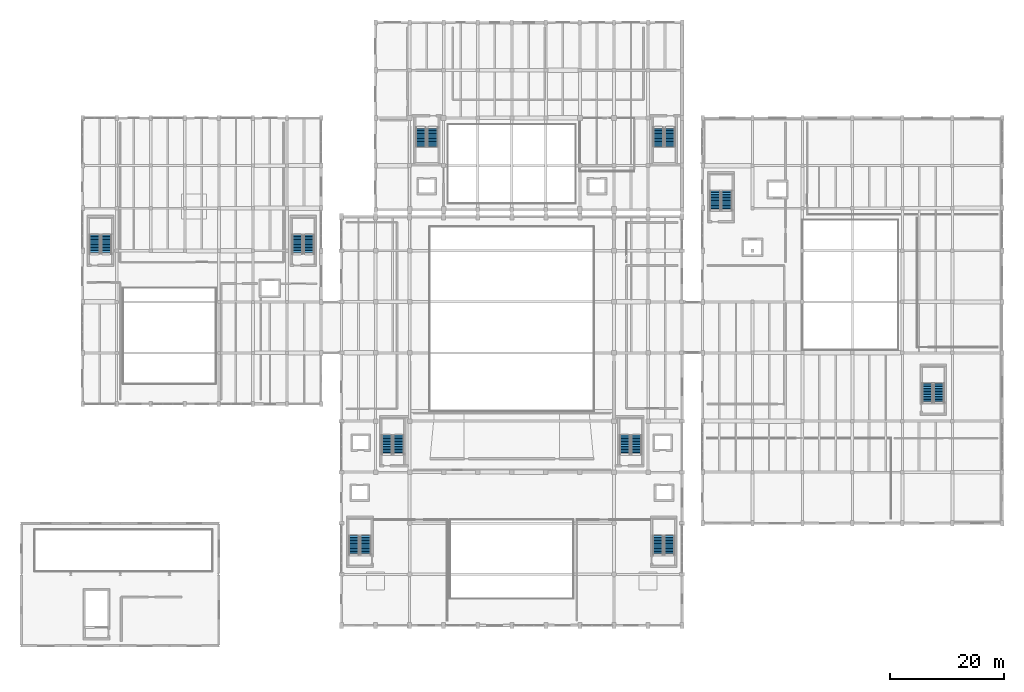
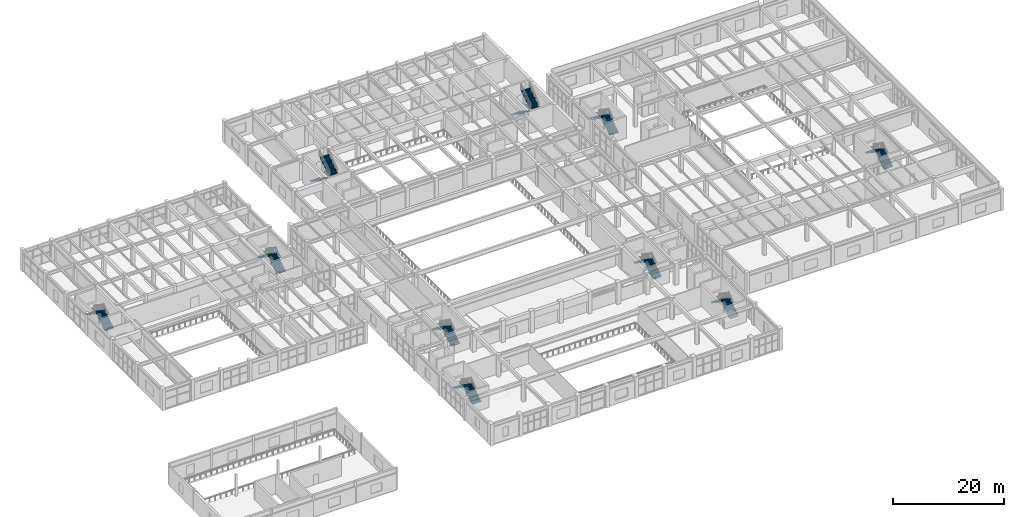
# One storey, part 77 of 96: 20 stair flights, 10 elements without a shape of their own.
"""IFC4 building model written with IfcOpenShell, lengths in metres."""

from ifc_helpers import new_model, si_unit, direction, frame, origin, place, context, subcontext, project, spatial, polyline, outline, extrude, material, type_object, element, aggregate, save


model = new_model("IFC4")

# Units and contexts
model_context = context("Model", 3, precision=1e-05, world=origin(), true_north=direction((0.0, 1.0)))
body_context = subcontext(model_context, "Body", "Model", "MODEL_VIEW")
ifc_project = project(units=[si_unit("LENGTHUNIT", "METRE"), si_unit("AREAUNIT", "SQUARE_METRE"), si_unit("VOLUMEUNIT", "CUBIC_METRE"), si_unit("PLANEANGLEUNIT", "RADIAN"), si_unit("MASSUNIT", "GRAM", prefix="KILO")], contexts=[model_context])

# Site, building, storey
site_placement = place(None, origin())
site = spatial("IfcSite", under=ifc_project, at=site_placement, CompositionType="ELEMENT")
building_placement = place(site_placement, origin())
building = spatial("IfcBuilding", under=site, at=building_placement, Name="Vaelkrest Opera House", CompositionType="ELEMENT")
storey_placement = place(building_placement, frame((0.0, 0.0, 5.39990234375)))
storey = spatial("IfcBuildingStorey", under=building, at=storey_placement, Name="L01", CompositionType="ELEMENT", Elevation=5.39990234375)

# Stair, stair flights
ifc_material = material(Name="Concrete C40/50", Category="concrete")
stair_type_1 = type_object("IfcStairType", Name="ST01", PredefinedType="TWO_STRAIGHT_RUN_STAIR", material=ifc_material)
stair_1_placement = place(storey_placement, origin())
stair_1 = element("IfcStair", 1, at=stair_1_placement, inside=storey, type_object=stair_type_1, Name="L01 Protected exit stair ST01", PredefinedType="TWO_STRAIGHT_RUN_STAIR")
stair_flight_type = type_object("IfcStairFlightType", Name="SFL176", PredefinedType="STRAIGHT", material=ifc_material)
stair_flight_1_placement = place(storey_placement, frame((-19.925048828125, -25.64990234375, 0.0), z_axis=(0.0, 0.0, 1.0), x_axis=(0.0, 1.0, 0.0)))
stair_flight_1 = element("IfcStairFlight", 2, at=stair_flight_1_placement, type_object=stair_flight_type, Name="ST01 flight 1", NumberOfRisers=13, NumberOfTreads=12, PredefinedType="STRAIGHT", RiserHeight=0.184615385, TreadLength=0.28, context=body_context, shape_type="SweptSolid", body=[
    extrude(outline(polyline([(0.0, 0.0), (0.0, 0.1845703125), (0.280029296875, 0.1845703125), (0.280029296875, 0.369140625), (0.56005859375, 0.369140625), (0.56005859375, 0.553955078125), (0.840087890625, 0.553955078125), (0.840087890625, 0.738525390625), (1.1201171875, 0.738525390625), (1.1201171875, 0.923095703125), (1.39990234375, 0.923095703125), (1.39990234375, 1.107666015625), (1.679931640625, 1.107666015625), (1.679931640625, 1.292236328125), (1.9599609375, 1.292236328125), (1.9599609375, 1.476806640625), (2.239990234375, 1.476806640625), (2.239990234375, 1.66162109375), (2.52001953125, 1.66162109375), (2.52001953125, 1.84619140625), (2.800048828125, 1.84619140625), (2.800048828125, 2.03076171875), (3.080078125, 2.03076171875), (3.080078125, 2.21533203125), (3.360107421875, 2.21533203125), (3.360107421875, 2.39990234375), (3.360107421875, 2.02392578125), (0.29052734375, 0.0), (0.0, 0.0)])), frame((0.0, 0.925048828125, 0.0), z_axis=(0.0, -1.0, 0.0), x_axis=(1.0, 0.0, 0.0)), (0.0, 0.0, 1.0), 1.85009765625),
])
stair_flight_2_placement = place(storey_placement, frame((-21.97509765625, -22.2900390625, 2.400146484375), z_axis=(0.0, 0.0, 1.0), x_axis=(0.0, -1.0, 0.0)))
stair_flight_2 = element("IfcStairFlight", 3, at=stair_flight_2_placement, type_object=stair_flight_type, Name="ST01 flight 2", NumberOfRisers=13, NumberOfTreads=12, PredefinedType="STRAIGHT", RiserHeight=0.184615385, TreadLength=0.28, context=body_context, shape_type="SweptSolid", body=[
    extrude(outline(polyline([(0.0, 0.0), (0.0, 0.1845703125), (0.280029296875, 0.1845703125), (0.280029296875, 0.369140625), (0.56005859375, 0.369140625), (0.56005859375, 0.553955078125), (0.840087890625, 0.553955078125), (0.840087890625, 0.738525390625), (1.1201171875, 0.738525390625), (1.1201171875, 0.923095703125), (1.39990234375, 0.923095703125), (1.39990234375, 1.107666015625), (1.679931640625, 1.107666015625), (1.679931640625, 1.292236328125), (1.9599609375, 1.292236328125), (1.9599609375, 1.476806640625), (2.239990234375, 1.476806640625), (2.239990234375, 1.66162109375), (2.52001953125, 1.66162109375), (2.52001953125, 1.84619140625), (2.800048828125, 1.84619140625), (2.800048828125, 2.03076171875), (3.080078125, 2.03076171875), (3.080078125, 2.21533203125), (3.360107421875, 2.21533203125), (3.360107421875, 2.39990234375), (3.360107421875, 2.02392578125), (0.29052734375, 0.0), (0.0, 0.0)])), frame((0.0, 0.925048828125, 0.0), z_axis=(0.0, -1.0, 0.0), x_axis=(1.0, 0.0, 0.0)), (0.0, 0.0, 1.0), 1.85009765625),
])
aggregate(stair_1, [stair_flight_1, stair_flight_2])

stair_type_2 = type_object("IfcStairType", Name="ST02", PredefinedType="TWO_STRAIGHT_RUN_STAIR", material=ifc_material)
stair_2_placement = place(storey_placement, origin())
stair_2 = element("IfcStair", 4, at=stair_2_placement, inside=storey, type_object=stair_type_2, Name="L01 Protected exit stair ST02", PredefinedType="TWO_STRAIGHT_RUN_STAIR")
stair_flight_3_placement = place(storey_placement, frame((21.97509765625, -25.64990234375, 0.0), z_axis=(0.0, 0.0, 1.0), x_axis=(0.0, 1.0, 0.0)))
stair_flight_3 = element("IfcStairFlight", 5, at=stair_flight_3_placement, type_object=stair_flight_type, Name="ST02 flight 1", NumberOfRisers=13, NumberOfTreads=12, PredefinedType="STRAIGHT", RiserHeight=0.184615385, TreadLength=0.28, context=body_context, shape_type="SweptSolid", body=[
    extrude(outline(polyline([(0.0, 0.0), (0.0, 0.1845703125), (0.280029296875, 0.1845703125), (0.280029296875, 0.369140625), (0.56005859375, 0.369140625), (0.56005859375, 0.553955078125), (0.840087890625, 0.553955078125), (0.840087890625, 0.738525390625), (1.1201171875, 0.738525390625), (1.1201171875, 0.923095703125), (1.39990234375, 0.923095703125), (1.39990234375, 1.107666015625), (1.679931640625, 1.107666015625), (1.679931640625, 1.292236328125), (1.9599609375, 1.292236328125), (1.9599609375, 1.476806640625), (2.239990234375, 1.476806640625), (2.239990234375, 1.66162109375), (2.52001953125, 1.66162109375), (2.52001953125, 1.84619140625), (2.800048828125, 1.84619140625), (2.800048828125, 2.03076171875), (3.080078125, 2.03076171875), (3.080078125, 2.21533203125), (3.360107421875, 2.21533203125), (3.360107421875, 2.39990234375), (3.360107421875, 2.02392578125), (0.29052734375, 0.0), (0.0, 0.0)])), frame((0.0, 0.925048828125, 0.0), z_axis=(0.0, -1.0, 0.0), x_axis=(1.0, 0.0, 0.0)), (0.0, 0.0, 1.0), 1.85009765625),
])
stair_flight_4_placement = place(storey_placement, frame((19.925048828125, -22.2900390625, 2.400146484375), z_axis=(0.0, 0.0, 1.0), x_axis=(0.0, -1.0, 0.0)))
stair_flight_4 = element("IfcStairFlight", 6, at=stair_flight_4_placement, type_object=stair_flight_type, Name="ST02 flight 2", NumberOfRisers=13, NumberOfTreads=12, PredefinedType="STRAIGHT", RiserHeight=0.184615385, TreadLength=0.28, context=body_context, shape_type="SweptSolid", body=[
    extrude(outline(polyline([(0.0, 0.0), (0.0, 0.1845703125), (0.280029296875, 0.1845703125), (0.280029296875, 0.369140625), (0.56005859375, 0.369140625), (0.56005859375, 0.553955078125), (0.840087890625, 0.553955078125), (0.840087890625, 0.738525390625), (1.1201171875, 0.738525390625), (1.1201171875, 0.923095703125), (1.39990234375, 0.923095703125), (1.39990234375, 1.107666015625), (1.679931640625, 1.107666015625), (1.679931640625, 1.292236328125), (1.9599609375, 1.292236328125), (1.9599609375, 1.476806640625), (2.239990234375, 1.476806640625), (2.239990234375, 1.66162109375), (2.52001953125, 1.66162109375), (2.52001953125, 1.84619140625), (2.800048828125, 1.84619140625), (2.800048828125, 2.03076171875), (3.080078125, 2.03076171875), (3.080078125, 2.21533203125), (3.360107421875, 2.21533203125), (3.360107421875, 2.39990234375), (3.360107421875, 2.02392578125), (0.29052734375, 0.0), (0.0, 0.0)])), frame((0.0, 0.925048828125, 0.0), z_axis=(0.0, -1.0, 0.0), x_axis=(1.0, 0.0, 0.0)), (0.0, 0.0, 1.0), 1.85009765625),
])
aggregate(stair_2, [stair_flight_3, stair_flight_4])

stair_type_3 = type_object("IfcStairType", Name="ST03", PredefinedType="TWO_STRAIGHT_RUN_STAIR", material=ifc_material)
stair_3_placement = place(storey_placement, origin())
stair_3 = element("IfcStair", 7, at=stair_3_placement, inside=storey, type_object=stair_type_3, Name="L01 Protected exit stair ST03", PredefinedType="TWO_STRAIGHT_RUN_STAIR")
stair_flight_5_placement = place(storey_placement, frame((-25.72509765625, -43.35009765625, 0.0), z_axis=(0.0, 0.0, 1.0), x_axis=(0.0, 1.0, 0.0)))
stair_flight_5 = element("IfcStairFlight", 8, at=stair_flight_5_placement, type_object=stair_flight_type, Name="ST03 flight 1", NumberOfRisers=13, NumberOfTreads=12, PredefinedType="STRAIGHT", RiserHeight=0.184615385, TreadLength=0.28, context=body_context, shape_type="SweptSolid", body=[
    extrude(outline(polyline([(0.0, 0.0), (0.0, 0.1845703125), (0.280029296875, 0.1845703125), (0.280029296875, 0.369140625), (0.56005859375, 0.369140625), (0.56005859375, 0.553955078125), (0.840087890625, 0.553955078125), (0.840087890625, 0.738525390625), (1.1201171875, 0.738525390625), (1.1201171875, 0.923095703125), (1.39990234375, 0.923095703125), (1.39990234375, 1.107666015625), (1.679931640625, 1.107666015625), (1.679931640625, 1.292236328125), (1.9599609375, 1.292236328125), (1.9599609375, 1.476806640625), (2.239990234375, 1.476806640625), (2.239990234375, 1.66162109375), (2.52001953125, 1.66162109375), (2.52001953125, 1.84619140625), (2.800048828125, 1.84619140625), (2.800048828125, 2.03076171875), (3.080078125, 2.03076171875), (3.080078125, 2.21533203125), (3.360107421875, 2.21533203125), (3.360107421875, 2.39990234375), (3.360107421875, 2.02392578125), (0.29052734375, 0.0), (0.0, 0.0)])), frame((0.0, 0.925048828125, 0.0), z_axis=(0.0, -1.0, 0.0), x_axis=(1.0, 0.0, 0.0)), (0.0, 0.0, 1.0), 1.85009765625),
])
stair_flight_6_placement = place(storey_placement, frame((-27.77490234375, -39.989990234375, 2.400146484375), z_axis=(0.0, 0.0, 1.0), x_axis=(0.0, -1.0, 0.0)))
stair_flight_6 = element("IfcStairFlight", 9, at=stair_flight_6_placement, type_object=stair_flight_type, Name="ST03 flight 2", NumberOfRisers=13, NumberOfTreads=12, PredefinedType="STRAIGHT", RiserHeight=0.184615385, TreadLength=0.28, context=body_context, shape_type="SweptSolid", body=[
    extrude(outline(polyline([(0.0, 0.0), (0.0, 0.1845703125), (0.280029296875, 0.1845703125), (0.280029296875, 0.369140625), (0.56005859375, 0.369140625), (0.56005859375, 0.553955078125), (0.840087890625, 0.553955078125), (0.840087890625, 0.738525390625), (1.1201171875, 0.738525390625), (1.1201171875, 0.923095703125), (1.39990234375, 0.923095703125), (1.39990234375, 1.107666015625), (1.679931640625, 1.107666015625), (1.679931640625, 1.292236328125), (1.9599609375, 1.292236328125), (1.9599609375, 1.476806640625), (2.239990234375, 1.476806640625), (2.239990234375, 1.66162109375), (2.52001953125, 1.66162109375), (2.52001953125, 1.84619140625), (2.800048828125, 1.84619140625), (2.800048828125, 2.03076171875), (3.080078125, 2.03076171875), (3.080078125, 2.21533203125), (3.360107421875, 2.21533203125), (3.360107421875, 2.39990234375), (3.360107421875, 2.02392578125), (0.29052734375, 0.0), (0.0, 0.0)])), frame((0.0, 0.925048828125, 0.0), z_axis=(0.0, -1.0, 0.0), x_axis=(1.0, 0.0, 0.0)), (0.0, 0.0, 1.0), 1.85009765625),
])
aggregate(stair_3, [stair_flight_5, stair_flight_6])

stair_type_4 = type_object("IfcStairType", Name="ST04", PredefinedType="TWO_STRAIGHT_RUN_STAIR", material=ifc_material)
stair_4_placement = place(storey_placement, origin())
stair_4 = element("IfcStair", 10, at=stair_4_placement, inside=storey, type_object=stair_type_4, Name="L01 Protected exit stair ST04", PredefinedType="TWO_STRAIGHT_RUN_STAIR")
stair_flight_7_placement = place(storey_placement, frame((27.77490234375, -43.35009765625, 0.0), z_axis=(0.0, 0.0, 1.0), x_axis=(0.0, 1.0, 0.0)))
stair_flight_7 = element("IfcStairFlight", 11, at=stair_flight_7_placement, type_object=stair_flight_type, Name="ST04 flight 1", NumberOfRisers=13, NumberOfTreads=12, PredefinedType="STRAIGHT", RiserHeight=0.184615385, TreadLength=0.28, context=body_context, shape_type="SweptSolid", body=[
    extrude(outline(polyline([(0.0, 0.0), (0.0, 0.1845703125), (0.280029296875, 0.1845703125), (0.280029296875, 0.369140625), (0.56005859375, 0.369140625), (0.56005859375, 0.553955078125), (0.840087890625, 0.553955078125), (0.840087890625, 0.738525390625), (1.1201171875, 0.738525390625), (1.1201171875, 0.923095703125), (1.39990234375, 0.923095703125), (1.39990234375, 1.107666015625), (1.679931640625, 1.107666015625), (1.679931640625, 1.292236328125), (1.9599609375, 1.292236328125), (1.9599609375, 1.476806640625), (2.239990234375, 1.476806640625), (2.239990234375, 1.66162109375), (2.52001953125, 1.66162109375), (2.52001953125, 1.84619140625), (2.800048828125, 1.84619140625), (2.800048828125, 2.03076171875), (3.080078125, 2.03076171875), (3.080078125, 2.21533203125), (3.360107421875, 2.21533203125), (3.360107421875, 2.39990234375), (3.360107421875, 2.02392578125), (0.29052734375, 0.0), (0.0, 0.0)])), frame((0.0, 0.925048828125, 0.0), z_axis=(0.0, -1.0, 0.0), x_axis=(1.0, 0.0, 0.0)), (0.0, 0.0, 1.0), 1.85009765625),
])
stair_flight_8_placement = place(storey_placement, frame((25.72509765625, -39.989990234375, 2.400146484375), z_axis=(0.0, 0.0, 1.0), x_axis=(0.0, -1.0, 0.0)))
stair_flight_8 = element("IfcStairFlight", 12, at=stair_flight_8_placement, type_object=stair_flight_type, Name="ST04 flight 2", NumberOfRisers=13, NumberOfTreads=12, PredefinedType="STRAIGHT", RiserHeight=0.184615385, TreadLength=0.28, context=body_context, shape_type="SweptSolid", body=[
    extrude(outline(polyline([(0.0, 0.0), (0.0, 0.1845703125), (0.280029296875, 0.1845703125), (0.280029296875, 0.369140625), (0.56005859375, 0.369140625), (0.56005859375, 0.553955078125), (0.840087890625, 0.553955078125), (0.840087890625, 0.738525390625), (1.1201171875, 0.738525390625), (1.1201171875, 0.923095703125), (1.39990234375, 0.923095703125), (1.39990234375, 1.107666015625), (1.679931640625, 1.107666015625), (1.679931640625, 1.292236328125), (1.9599609375, 1.292236328125), (1.9599609375, 1.476806640625), (2.239990234375, 1.476806640625), (2.239990234375, 1.66162109375), (2.52001953125, 1.66162109375), (2.52001953125, 1.84619140625), (2.800048828125, 1.84619140625), (2.800048828125, 2.03076171875), (3.080078125, 2.03076171875), (3.080078125, 2.21533203125), (3.360107421875, 2.21533203125), (3.360107421875, 2.39990234375), (3.360107421875, 2.02392578125), (0.29052734375, 0.0), (0.0, 0.0)])), frame((0.0, 0.925048828125, 0.0), z_axis=(0.0, -1.0, 0.0), x_axis=(1.0, 0.0, 0.0)), (0.0, 0.0, 1.0), 1.85009765625),
])
aggregate(stair_4, [stair_flight_7, stair_flight_8])

stair_type_5 = type_object("IfcStairType", Name="ST05", PredefinedType="TWO_STRAIGHT_RUN_STAIR", material=ifc_material)
stair_5_placement = place(storey_placement, origin())
stair_5 = element("IfcStair", 13, at=stair_5_placement, inside=storey, type_object=stair_type_5, Name="L01 Protected exit stair ST05", PredefinedType="TWO_STRAIGHT_RUN_STAIR")
stair_flight_9_placement = place(storey_placement, frame((-15.97509765625, 31.949951171875, 0.0), z_axis=(0.0, 0.0, 1.0), x_axis=(0.0, -1.0, 0.0)))
stair_flight_9 = element("IfcStairFlight", 14, at=stair_flight_9_placement, type_object=stair_flight_type, Name="ST05 flight 1", NumberOfRisers=13, NumberOfTreads=12, PredefinedType="STRAIGHT", RiserHeight=0.184615385, TreadLength=0.28, context=body_context, shape_type="SweptSolid", body=[
    extrude(outline(polyline([(0.0, 0.0), (0.0, 0.1845703125), (0.280029296875, 0.1845703125), (0.280029296875, 0.369140625), (0.56005859375, 0.369140625), (0.56005859375, 0.553955078125), (0.840087890625, 0.553955078125), (0.840087890625, 0.738525390625), (1.1201171875, 0.738525390625), (1.1201171875, 0.923095703125), (1.39990234375, 0.923095703125), (1.39990234375, 1.107666015625), (1.679931640625, 1.107666015625), (1.679931640625, 1.292236328125), (1.9599609375, 1.292236328125), (1.9599609375, 1.476806640625), (2.239990234375, 1.476806640625), (2.239990234375, 1.66162109375), (2.52001953125, 1.66162109375), (2.52001953125, 1.84619140625), (2.800048828125, 1.84619140625), (2.800048828125, 2.03076171875), (3.080078125, 2.03076171875), (3.080078125, 2.21533203125), (3.360107421875, 2.21533203125), (3.360107421875, 2.39990234375), (3.360107421875, 2.02392578125), (0.29052734375, 0.0), (0.0, 0.0)])), frame((0.0, 0.925048828125, 0.0), z_axis=(0.0, -1.0, 0.0), x_axis=(1.0, 0.0, 0.0)), (0.0, 0.0, 1.0), 1.85009765625),
])
stair_flight_10_placement = place(storey_placement, frame((-13.925048828125, 28.590087890625, 2.400146484375), z_axis=(0.0, 0.0, 1.0), x_axis=(0.0, 1.0, 0.0)))
stair_flight_10 = element("IfcStairFlight", 15, at=stair_flight_10_placement, type_object=stair_flight_type, Name="ST05 flight 2", NumberOfRisers=13, NumberOfTreads=12, PredefinedType="STRAIGHT", RiserHeight=0.184615385, TreadLength=0.28, context=body_context, shape_type="SweptSolid", body=[
    extrude(outline(polyline([(0.0, 0.0), (0.0, 0.1845703125), (0.280029296875, 0.1845703125), (0.280029296875, 0.369140625), (0.56005859375, 0.369140625), (0.56005859375, 0.553955078125), (0.840087890625, 0.553955078125), (0.840087890625, 0.738525390625), (1.1201171875, 0.738525390625), (1.1201171875, 0.923095703125), (1.39990234375, 0.923095703125), (1.39990234375, 1.107666015625), (1.679931640625, 1.107666015625), (1.679931640625, 1.292236328125), (1.9599609375, 1.292236328125), (1.9599609375, 1.476806640625), (2.239990234375, 1.476806640625), (2.239990234375, 1.66162109375), (2.52001953125, 1.66162109375), (2.52001953125, 1.84619140625), (2.800048828125, 1.84619140625), (2.800048828125, 2.03076171875), (3.080078125, 2.03076171875), (3.080078125, 2.21533203125), (3.360107421875, 2.21533203125), (3.360107421875, 2.39990234375), (3.360107421875, 2.02392578125), (0.29052734375, 0.0), (0.0, 0.0)])), frame((0.0, 0.925048828125, 0.0), z_axis=(0.0, -1.0, 0.0), x_axis=(1.0, 0.0, 0.0)), (0.0, 0.0, 1.0), 1.85009765625),
])
aggregate(stair_5, [stair_flight_9, stair_flight_10])

stair_type_6 = type_object("IfcStairType", Name="ST06", PredefinedType="TWO_STRAIGHT_RUN_STAIR", material=ifc_material)
stair_6_placement = place(storey_placement, origin())
stair_6 = element("IfcStair", 16, at=stair_6_placement, inside=storey, type_object=stair_type_6, Name="L01 Protected exit stair ST06", PredefinedType="TWO_STRAIGHT_RUN_STAIR")
stair_flight_11_placement = place(storey_placement, frame((25.824951171875, 31.949951171875, 0.0), z_axis=(0.0, 0.0, 1.0), x_axis=(0.0, -1.0, 0.0)))
stair_flight_11 = element("IfcStairFlight", 17, at=stair_flight_11_placement, type_object=stair_flight_type, Name="ST06 flight 1", NumberOfRisers=13, NumberOfTreads=12, PredefinedType="STRAIGHT", RiserHeight=0.184615385, TreadLength=0.28, context=body_context, shape_type="SweptSolid", body=[
    extrude(outline(polyline([(0.0, 0.0), (0.0, 0.1845703125), (0.280029296875, 0.1845703125), (0.280029296875, 0.369140625), (0.56005859375, 0.369140625), (0.56005859375, 0.553955078125), (0.840087890625, 0.553955078125), (0.840087890625, 0.738525390625), (1.1201171875, 0.738525390625), (1.1201171875, 0.923095703125), (1.39990234375, 0.923095703125), (1.39990234375, 1.107666015625), (1.679931640625, 1.107666015625), (1.679931640625, 1.292236328125), (1.9599609375, 1.292236328125), (1.9599609375, 1.476806640625), (2.239990234375, 1.476806640625), (2.239990234375, 1.66162109375), (2.52001953125, 1.66162109375), (2.52001953125, 1.84619140625), (2.800048828125, 1.84619140625), (2.800048828125, 2.03076171875), (3.080078125, 2.03076171875), (3.080078125, 2.21533203125), (3.360107421875, 2.21533203125), (3.360107421875, 2.39990234375), (3.360107421875, 2.02392578125), (0.29052734375, 0.0), (0.0, 0.0)])), frame((0.0, 0.925048828125, 0.0), z_axis=(0.0, -1.0, 0.0), x_axis=(1.0, 0.0, 0.0)), (0.0, 0.0, 1.0), 1.85009765625),
])
stair_flight_12_placement = place(storey_placement, frame((27.875, 28.590087890625, 2.400146484375), z_axis=(0.0, 0.0, 1.0), x_axis=(0.0, 1.0, 0.0)))
stair_flight_12 = element("IfcStairFlight", 18, at=stair_flight_12_placement, type_object=stair_flight_type, Name="ST06 flight 2", NumberOfRisers=13, NumberOfTreads=12, PredefinedType="STRAIGHT", RiserHeight=0.184615385, TreadLength=0.28, context=body_context, shape_type="SweptSolid", body=[
    extrude(outline(polyline([(0.0, 0.0), (0.0, 0.1845703125), (0.280029296875, 0.1845703125), (0.280029296875, 0.369140625), (0.56005859375, 0.369140625), (0.56005859375, 0.553955078125), (0.840087890625, 0.553955078125), (0.840087890625, 0.738525390625), (1.1201171875, 0.738525390625), (1.1201171875, 0.923095703125), (1.39990234375, 0.923095703125), (1.39990234375, 1.107666015625), (1.679931640625, 1.107666015625), (1.679931640625, 1.292236328125), (1.9599609375, 1.292236328125), (1.9599609375, 1.476806640625), (2.239990234375, 1.476806640625), (2.239990234375, 1.66162109375), (2.52001953125, 1.66162109375), (2.52001953125, 1.84619140625), (2.800048828125, 1.84619140625), (2.800048828125, 2.03076171875), (3.080078125, 2.03076171875), (3.080078125, 2.21533203125), (3.360107421875, 2.21533203125), (3.360107421875, 2.39990234375), (3.360107421875, 2.02392578125), (0.29052734375, 0.0), (0.0, 0.0)])), frame((0.0, 0.925048828125, 0.0), z_axis=(0.0, -1.0, 0.0), x_axis=(1.0, 0.0, 0.0)), (0.0, 0.0, 1.0), 1.85009765625),
])
aggregate(stair_6, [stair_flight_11, stair_flight_12])

stair_type_7 = type_object("IfcStairType", Name="ST07", PredefinedType="TWO_STRAIGHT_RUN_STAIR", material=ifc_material)
stair_7_placement = place(storey_placement, origin())
stair_7 = element("IfcStair", 19, at=stair_7_placement, inside=storey, type_object=stair_type_7, Name="L01 Protected exit stair ST07", PredefinedType="TWO_STRAIGHT_RUN_STAIR")
stair_flight_13_placement = place(storey_placement, frame((-71.425048828125, 9.64990234375, 0.0), z_axis=(0.0, 0.0, 1.0), x_axis=(0.0, 1.0, 0.0)))
stair_flight_13 = element("IfcStairFlight", 20, at=stair_flight_13_placement, type_object=stair_flight_type, Name="ST07 flight 1", NumberOfRisers=13, NumberOfTreads=12, PredefinedType="STRAIGHT", RiserHeight=0.184615385, TreadLength=0.28, context=body_context, shape_type="SweptSolid", body=[
    extrude(outline(polyline([(0.0, 0.0), (0.0, 0.1845703125), (0.280029296875, 0.1845703125), (0.280029296875, 0.369140625), (0.56005859375, 0.369140625), (0.56005859375, 0.553955078125), (0.840087890625, 0.553955078125), (0.840087890625, 0.738525390625), (1.1201171875, 0.738525390625), (1.1201171875, 0.923095703125), (1.39990234375, 0.923095703125), (1.39990234375, 1.107666015625), (1.679931640625, 1.107666015625), (1.679931640625, 1.292236328125), (1.9599609375, 1.292236328125), (1.9599609375, 1.476806640625), (2.239990234375, 1.476806640625), (2.239990234375, 1.66162109375), (2.52001953125, 1.66162109375), (2.52001953125, 1.84619140625), (2.800048828125, 1.84619140625), (2.800048828125, 2.03076171875), (3.080078125, 2.03076171875), (3.080078125, 2.21533203125), (3.360107421875, 2.21533203125), (3.360107421875, 2.39990234375), (3.360107421875, 2.02392578125), (0.29052734375, 0.0), (0.0, 0.0)])), frame((0.0, 0.925048828125, 0.0), z_axis=(0.0, -1.0, 0.0), x_axis=(1.0, 0.0, 0.0)), (0.0, 0.0, 1.0), 1.85009765625),
])
stair_flight_14_placement = place(storey_placement, frame((-73.47509765625, 13.010009765625, 2.400146484375), z_axis=(0.0, 0.0, 1.0), x_axis=(0.0, -1.0, 0.0)))
stair_flight_14 = element("IfcStairFlight", 21, at=stair_flight_14_placement, type_object=stair_flight_type, Name="ST07 flight 2", NumberOfRisers=13, NumberOfTreads=12, PredefinedType="STRAIGHT", RiserHeight=0.184615385, TreadLength=0.28, context=body_context, shape_type="SweptSolid", body=[
    extrude(outline(polyline([(0.0, 0.0), (0.0, 0.1845703125), (0.280029296875, 0.1845703125), (0.280029296875, 0.369140625), (0.56005859375, 0.369140625), (0.56005859375, 0.553955078125), (0.840087890625, 0.553955078125), (0.840087890625, 0.738525390625), (1.1201171875, 0.738525390625), (1.1201171875, 0.923095703125), (1.39990234375, 0.923095703125), (1.39990234375, 1.107666015625), (1.679931640625, 1.107666015625), (1.679931640625, 1.292236328125), (1.9599609375, 1.292236328125), (1.9599609375, 1.476806640625), (2.239990234375, 1.476806640625), (2.239990234375, 1.66162109375), (2.52001953125, 1.66162109375), (2.52001953125, 1.84619140625), (2.800048828125, 1.84619140625), (2.800048828125, 2.03076171875), (3.080078125, 2.03076171875), (3.080078125, 2.21533203125), (3.360107421875, 2.21533203125), (3.360107421875, 2.39990234375), (3.360107421875, 2.02392578125), (0.29052734375, 0.0), (0.0, 0.0)])), frame((0.0, 0.925048828125, 0.0), z_axis=(0.0, -1.0, 0.0), x_axis=(1.0, 0.0, 0.0)), (0.0, 0.0, 1.0), 1.85009765625),
])
aggregate(stair_7, [stair_flight_13, stair_flight_14])

stair_type_8 = type_object("IfcStairType", Name="ST08", PredefinedType="TWO_STRAIGHT_RUN_STAIR", material=ifc_material)
stair_8_placement = place(storey_placement, origin())
stair_8 = element("IfcStair", 22, at=stair_8_placement, inside=storey, type_object=stair_type_8, Name="L01 Protected exit stair ST08", PredefinedType="TWO_STRAIGHT_RUN_STAIR")
stair_flight_15_placement = place(storey_placement, frame((-35.72509765625, 9.64990234375, 0.0), z_axis=(0.0, 0.0, 1.0), x_axis=(0.0, 1.0, 0.0)))
stair_flight_15 = element("IfcStairFlight", 23, at=stair_flight_15_placement, type_object=stair_flight_type, Name="ST08 flight 1", NumberOfRisers=13, NumberOfTreads=12, PredefinedType="STRAIGHT", RiserHeight=0.184615385, TreadLength=0.28, context=body_context, shape_type="SweptSolid", body=[
    extrude(outline(polyline([(0.0, 0.0), (0.0, 0.1845703125), (0.280029296875, 0.1845703125), (0.280029296875, 0.369140625), (0.56005859375, 0.369140625), (0.56005859375, 0.553955078125), (0.840087890625, 0.553955078125), (0.840087890625, 0.738525390625), (1.1201171875, 0.738525390625), (1.1201171875, 0.923095703125), (1.39990234375, 0.923095703125), (1.39990234375, 1.107666015625), (1.679931640625, 1.107666015625), (1.679931640625, 1.292236328125), (1.9599609375, 1.292236328125), (1.9599609375, 1.476806640625), (2.239990234375, 1.476806640625), (2.239990234375, 1.66162109375), (2.52001953125, 1.66162109375), (2.52001953125, 1.84619140625), (2.800048828125, 1.84619140625), (2.800048828125, 2.03076171875), (3.080078125, 2.03076171875), (3.080078125, 2.21533203125), (3.360107421875, 2.21533203125), (3.360107421875, 2.39990234375), (3.360107421875, 2.02392578125), (0.29052734375, 0.0), (0.0, 0.0)])), frame((0.0, 0.925048828125, 0.0), z_axis=(0.0, -1.0, 0.0), x_axis=(1.0, 0.0, 0.0)), (0.0, 0.0, 1.0), 1.85009765625),
])
stair_flight_16_placement = place(storey_placement, frame((-37.77490234375, 13.010009765625, 2.400146484375), z_axis=(0.0, 0.0, 1.0), x_axis=(0.0, -1.0, 0.0)))
stair_flight_16 = element("IfcStairFlight", 24, at=stair_flight_16_placement, type_object=stair_flight_type, Name="ST08 flight 2", NumberOfRisers=13, NumberOfTreads=12, PredefinedType="STRAIGHT", RiserHeight=0.184615385, TreadLength=0.28, context=body_context, shape_type="SweptSolid", body=[
    extrude(outline(polyline([(0.0, 0.0), (0.0, 0.1845703125), (0.280029296875, 0.1845703125), (0.280029296875, 0.369140625), (0.56005859375, 0.369140625), (0.56005859375, 0.553955078125), (0.840087890625, 0.553955078125), (0.840087890625, 0.738525390625), (1.1201171875, 0.738525390625), (1.1201171875, 0.923095703125), (1.39990234375, 0.923095703125), (1.39990234375, 1.107666015625), (1.679931640625, 1.107666015625), (1.679931640625, 1.292236328125), (1.9599609375, 1.292236328125), (1.9599609375, 1.476806640625), (2.239990234375, 1.476806640625), (2.239990234375, 1.66162109375), (2.52001953125, 1.66162109375), (2.52001953125, 1.84619140625), (2.800048828125, 1.84619140625), (2.800048828125, 2.03076171875), (3.080078125, 2.03076171875), (3.080078125, 2.21533203125), (3.360107421875, 2.21533203125), (3.360107421875, 2.39990234375), (3.360107421875, 2.02392578125), (0.29052734375, 0.0), (0.0, 0.0)])), frame((0.0, 0.925048828125, 0.0), z_axis=(0.0, -1.0, 0.0), x_axis=(1.0, 0.0, 0.0)), (0.0, 0.0, 1.0), 1.85009765625),
])
aggregate(stair_8, [stair_flight_15, stair_flight_16])

stair_type_9 = type_object("IfcStairType", Name="ST09", PredefinedType="TWO_STRAIGHT_RUN_STAIR", material=ifc_material)
stair_9_placement = place(storey_placement, origin())
stair_9 = element("IfcStair", 25, at=stair_9_placement, inside=storey, type_object=stair_type_9, Name="L01 Protected exit stair ST09", PredefinedType="TWO_STRAIGHT_RUN_STAIR")
stair_flight_17_placement = place(storey_placement, frame((37.875, 17.35009765625, 0.0), z_axis=(0.0, 0.0, 1.0), x_axis=(0.0, 1.0, 0.0)))
stair_flight_17 = element("IfcStairFlight", 26, at=stair_flight_17_placement, type_object=stair_flight_type, Name="ST09 flight 1", NumberOfRisers=13, NumberOfTreads=12, PredefinedType="STRAIGHT", RiserHeight=0.184615385, TreadLength=0.28, context=body_context, shape_type="SweptSolid", body=[
    extrude(outline(polyline([(0.0, 0.0), (0.0, 0.1845703125), (0.280029296875, 0.1845703125), (0.280029296875, 0.369140625), (0.56005859375, 0.369140625), (0.56005859375, 0.553955078125), (0.840087890625, 0.553955078125), (0.840087890625, 0.738525390625), (1.1201171875, 0.738525390625), (1.1201171875, 0.923095703125), (1.39990234375, 0.923095703125), (1.39990234375, 1.107666015625), (1.679931640625, 1.107666015625), (1.679931640625, 1.292236328125), (1.9599609375, 1.292236328125), (1.9599609375, 1.476806640625), (2.239990234375, 1.476806640625), (2.239990234375, 1.66162109375), (2.52001953125, 1.66162109375), (2.52001953125, 1.84619140625), (2.800048828125, 1.84619140625), (2.800048828125, 2.03076171875), (3.080078125, 2.03076171875), (3.080078125, 2.21533203125), (3.360107421875, 2.21533203125), (3.360107421875, 2.39990234375), (3.360107421875, 2.02392578125), (0.29052734375, 0.0), (0.0, 0.0)])), frame((0.0, 0.925048828125, 0.0), z_axis=(0.0, -1.0, 0.0), x_axis=(1.0, 0.0, 0.0)), (0.0, 0.0, 1.0), 1.85009765625),
])
stair_flight_18_placement = place(storey_placement, frame((35.824951171875, 20.7099609375, 2.400146484375), z_axis=(0.0, 0.0, 1.0), x_axis=(0.0, -1.0, 0.0)))
stair_flight_18 = element("IfcStairFlight", 27, at=stair_flight_18_placement, type_object=stair_flight_type, Name="ST09 flight 2", NumberOfRisers=13, NumberOfTreads=12, PredefinedType="STRAIGHT", RiserHeight=0.184615385, TreadLength=0.28, context=body_context, shape_type="SweptSolid", body=[
    extrude(outline(polyline([(0.0, 0.0), (0.0, 0.1845703125), (0.280029296875, 0.1845703125), (0.280029296875, 0.369140625), (0.56005859375, 0.369140625), (0.56005859375, 0.553955078125), (0.840087890625, 0.553955078125), (0.840087890625, 0.738525390625), (1.1201171875, 0.738525390625), (1.1201171875, 0.923095703125), (1.39990234375, 0.923095703125), (1.39990234375, 1.107666015625), (1.679931640625, 1.107666015625), (1.679931640625, 1.292236328125), (1.9599609375, 1.292236328125), (1.9599609375, 1.476806640625), (2.239990234375, 1.476806640625), (2.239990234375, 1.66162109375), (2.52001953125, 1.66162109375), (2.52001953125, 1.84619140625), (2.800048828125, 1.84619140625), (2.800048828125, 2.03076171875), (3.080078125, 2.03076171875), (3.080078125, 2.21533203125), (3.360107421875, 2.21533203125), (3.360107421875, 2.39990234375), (3.360107421875, 2.02392578125), (0.29052734375, 0.0), (0.0, 0.0)])), frame((0.0, 0.925048828125, 0.0), z_axis=(0.0, -1.0, 0.0), x_axis=(1.0, 0.0, 0.0)), (0.0, 0.0, 1.0), 1.85009765625),
])
aggregate(stair_9, [stair_flight_17, stair_flight_18])

stair_type_10 = type_object("IfcStairType", Name="ST10", PredefinedType="TWO_STRAIGHT_RUN_STAIR", material=ifc_material)
stair_10_placement = place(storey_placement, origin())
stair_10 = element("IfcStair", 28, at=stair_10_placement, inside=storey, type_object=stair_type_10, Name="L01 Protected exit stair ST10", PredefinedType="TWO_STRAIGHT_RUN_STAIR")
stair_flight_19_placement = place(storey_placement, frame((75.27490234375, -16.550048828125, 0.0), z_axis=(0.0, 0.0, 1.0), x_axis=(0.0, 1.0, 0.0)))
stair_flight_19 = element("IfcStairFlight", 29, at=stair_flight_19_placement, type_object=stair_flight_type, Name="ST10 flight 1", NumberOfRisers=13, NumberOfTreads=12, PredefinedType="STRAIGHT", RiserHeight=0.184615385, TreadLength=0.28, context=body_context, shape_type="SweptSolid", body=[
    extrude(outline(polyline([(0.0, 0.0), (0.0, 0.1845703125), (0.280029296875, 0.1845703125), (0.280029296875, 0.369140625), (0.56005859375, 0.369140625), (0.56005859375, 0.553955078125), (0.840087890625, 0.553955078125), (0.840087890625, 0.738525390625), (1.1201171875, 0.738525390625), (1.1201171875, 0.923095703125), (1.39990234375, 0.923095703125), (1.39990234375, 1.107666015625), (1.679931640625, 1.107666015625), (1.679931640625, 1.292236328125), (1.9599609375, 1.292236328125), (1.9599609375, 1.476806640625), (2.239990234375, 1.476806640625), (2.239990234375, 1.66162109375), (2.52001953125, 1.66162109375), (2.52001953125, 1.84619140625), (2.800048828125, 1.84619140625), (2.800048828125, 2.03076171875), (3.080078125, 2.03076171875), (3.080078125, 2.21533203125), (3.360107421875, 2.21533203125), (3.360107421875, 2.39990234375), (3.360107421875, 2.02392578125), (0.29052734375, 0.0), (0.0, 0.0)])), frame((0.0, 0.925048828125, 0.0), z_axis=(0.0, -1.0, 0.0), x_axis=(1.0, 0.0, 0.0)), (0.0, 0.0, 1.0), 1.85009765625),
])
stair_flight_20_placement = place(storey_placement, frame((73.22509765625, -13.18994140625, 2.400146484375), z_axis=(0.0, 0.0, 1.0), x_axis=(0.0, -1.0, 0.0)))
stair_flight_20 = element("IfcStairFlight", 30, at=stair_flight_20_placement, type_object=stair_flight_type, Name="ST10 flight 2", NumberOfRisers=13, NumberOfTreads=12, PredefinedType="STRAIGHT", RiserHeight=0.184615385, TreadLength=0.28, context=body_context, shape_type="SweptSolid", body=[
    extrude(outline(polyline([(0.0, 0.0), (0.0, 0.1845703125), (0.280029296875, 0.1845703125), (0.280029296875, 0.369140625), (0.56005859375, 0.369140625), (0.56005859375, 0.553955078125), (0.840087890625, 0.553955078125), (0.840087890625, 0.738525390625), (1.1201171875, 0.738525390625), (1.1201171875, 0.923095703125), (1.39990234375, 0.923095703125), (1.39990234375, 1.107666015625), (1.679931640625, 1.107666015625), (1.679931640625, 1.292236328125), (1.9599609375, 1.292236328125), (1.9599609375, 1.476806640625), (2.239990234375, 1.476806640625), (2.239990234375, 1.66162109375), (2.52001953125, 1.66162109375), (2.52001953125, 1.84619140625), (2.800048828125, 1.84619140625), (2.800048828125, 2.03076171875), (3.080078125, 2.03076171875), (3.080078125, 2.21533203125), (3.360107421875, 2.21533203125), (3.360107421875, 2.39990234375), (3.360107421875, 2.02392578125), (0.29052734375, 0.0), (0.0, 0.0)])), frame((0.0, 0.925048828125, 0.0), z_axis=(0.0, -1.0, 0.0), x_axis=(1.0, 0.0, 0.0)), (0.0, 0.0, 1.0), 1.85009765625),
])
aggregate(stair_10, [stair_flight_19, stair_flight_20])

save(model, "model.ifc")
